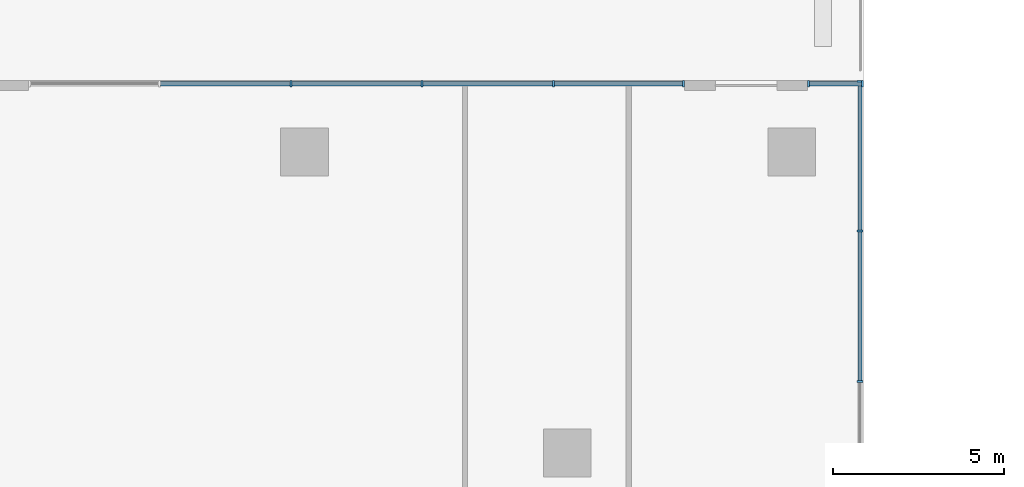
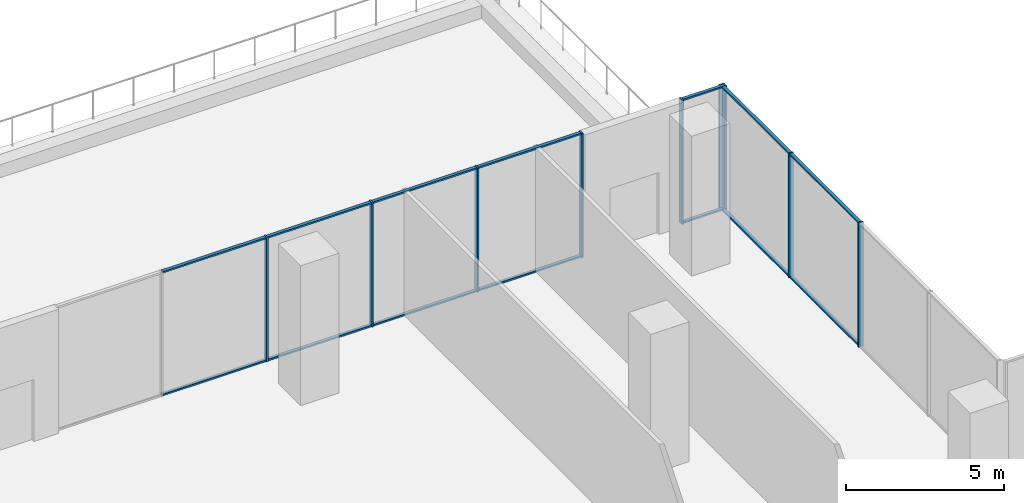
# One storey, part 11 of 24: 23 members, 3 elements without a shape of their own.
"""IFC4 building model written with IfcOpenShell, lengths in metres."""

from ifc_helpers import new_model, si_unit, direction, frame, origin, origin_2d, place, context, subcontext, project, spatial, rectangle, extrude, source, transform, mapped, material, layer, layer_set, material_profile, profile_set, type_object, element, aggregate, save


model = new_model("IFC4")

# Units and contexts
model_context = context("Model", 3, precision=1e-05, world=origin(), true_north=direction((0.0, 1.0)))
body_context = subcontext(model_context, "Body", "Model", "MODEL_VIEW")
ifc_project = project(units=[si_unit("LENGTHUNIT", "METRE"), si_unit("AREAUNIT", "SQUARE_METRE"), si_unit("VOLUMEUNIT", "CUBIC_METRE"), si_unit("PLANEANGLEUNIT", "RADIAN"), si_unit("MASSUNIT", "GRAM", prefix="KILO")], contexts=[model_context])

# Site, building, storey
site_placement = place(None, origin())
site = spatial("IfcSite", under=ifc_project, at=site_placement, CompositionType="ELEMENT")
building_placement = place(site_placement, origin())
building = spatial("IfcBuilding", under=site, at=building_placement, Name="Aurelian Terraces", CompositionType="ELEMENT")
storey_placement = place(building_placement, frame((0.0, 0.0, 12.9)))
storey = spatial("IfcBuildingStorey", under=building, at=storey_placement, Name="L02", CompositionType="ELEMENT", Elevation=12.9)

# Curtain wall, member
ifc_material_1 = material(Name="Anodised aluminium and clear glazing", Category="aluminium")
ifc_layer = layer(ifc_material_1, 0.2)
ifc_layer_set = layer_set([ifc_layer], Name="Winter garden glazing curtain wall")
curtain_wall_type = type_object("IfcCurtainWallType", Name="Winter garden glazing curtain wall", PredefinedType="NOTDEFINED", material=ifc_layer_set)
curtain_wall_1_placement = place(storey_placement, origin())
curtain_wall_1 = element("IfcCurtainWall", 1, at=curtain_wall_1_placement, inside=storey, type_object=curtain_wall_type, Name="Winter garden glazing L02 F05.1", PredefinedType="NOTDEFINED")
ifc_material_2 = material(Name="Anodised aluminium", Category="aluminium")
ifc_material_profile_1 = material_profile(ifc_material_2, rectangle(XDim=0.12, YDim=0.06, at=origin_2d()))
ifc_profile_set_1 = profile_set([ifc_material_profile_1], Name="Anodised aluminium")
member_type_1 = type_object("IfcMemberType", Name="Winter garden glazing transom", PredefinedType="USERDEFINED", material=ifc_profile_set_1)
member_1_placement = place(storey_placement, frame((54.12, 71.72, 0.03), z_axis=(-1.0, 0.0, 0.0), x_axis=(0.0, -1.0, 0.0)))
member_1 = element("IfcMember", 2, at=member_1_placement, type_object=member_type_1, Name="CW6 transom 1.1", ObjectType="TRANSOM", PredefinedType="USERDEFINED", context=body_context, shape_type="SweptSolid", body=[
    extrude(rectangle(XDim=0.12, YDim=0.06, at=origin_2d()), origin(), (0.0, 0.0, 1.0), 1.52),
])

# Curtain wall, members
curtain_wall_2_placement = place(storey_placement, origin())
curtain_wall_2 = element("IfcCurtainWall", 3, at=curtain_wall_2_placement, inside=storey, type_object=curtain_wall_type, Name="Winter garden glazing L02 F05.3", PredefinedType="NOTDEFINED")
member_2_placement = place(storey_placement, frame((48.88, 71.72, 0.03), z_axis=(-1.0, 0.0, 0.0), x_axis=(0.0, -1.0, 0.0)))
member_2 = element("IfcMember", 4, at=member_2_placement, type_object=member_type_1, Name="CW6 transom 1.1", ObjectType="TRANSOM", PredefinedType="USERDEFINED", context=body_context, shape_type="SweptSolid", body=[
    extrude(rectangle(XDim=0.12, YDim=0.06, at=origin_2d()), origin(), (0.0, 0.0, 1.0), 3.758),
])
member_3_placement = place(storey_placement, frame((45.062, 71.72, 0.03), z_axis=(-1.0, 0.0, 0.0), x_axis=(0.0, -1.0, 0.0)))
member_3 = element("IfcMember", 5, at=member_3_placement, type_object=member_type_1, Name="CW6 transom 2.1", ObjectType="TRANSOM", PredefinedType="USERDEFINED", context=body_context, shape_type="SweptSolid", body=[
    extrude(rectangle(XDim=0.12, YDim=0.06, at=origin_2d()), origin(), (0.0, 0.0, 1.0), 3.788),
])

curtain_wall_3_placement = place(storey_placement, origin())
curtain_wall_3 = element("IfcCurtainWall", 6, at=curtain_wall_3_placement, inside=storey, type_object=curtain_wall_type, Name="Winter garden glazing L02 F04.1", PredefinedType="NOTDEFINED")
ifc_material_profile_2 = material_profile(ifc_material_2, rectangle(XDim=0.18, YDim=0.06, at=origin_2d()))
ifc_profile_set_2 = profile_set([ifc_material_profile_2], Name="Anodised aluminium")
member_type_2 = type_object("IfcMemberType", Name="Winter garden glazing mullion", PredefinedType="MULLION", material=ifc_profile_set_2)
shared_shape_1 = source(origin(), body_context, "Body", "SweptSolid", [
    extrude(rectangle(XDim=0.18, YDim=0.06, at=origin_2d()), origin(), (0.0, 0.0, 1.0), 4.8),
])
member_4_placement = place(storey_placement, frame((54.08, 63.0, 0.0), z_axis=(0.0, 0.0, 1.0), x_axis=(-1.0, 0.0, 0.0)))
member_4 = element("IfcMember", 7, at=member_4_placement, type_object=member_type_2, Name="CW6 mullion 3", PredefinedType="MULLION", context=body_context, shape_type="MappedRepresentation", body=[
    mapped(shared_shape_1, transform((0.0, 0.0, 0.0), scale=1.0)),
])
member_5_placement = place(storey_placement, frame((54.08, 67.41, 0.0), z_axis=(0.0, 0.0, 1.0), x_axis=(-1.0, 0.0, 0.0)))
member_5 = element("IfcMember", 8, at=member_5_placement, type_object=member_type_2, Name="CW6 mullion 4", PredefinedType="MULLION", context=body_context, shape_type="MappedRepresentation", body=[
    mapped(shared_shape_1, transform((0.0, 0.0, 0.0), scale=1.0)),
])
member_6_placement = place(storey_placement, frame((54.08, 71.79, 0.0), z_axis=(0.0, 0.0, 1.0), x_axis=(-1.0, 0.0, 0.0)))
member_6 = element("IfcMember", 9, at=member_6_placement, type_object=member_type_2, Name="CW6 mullion 5", PredefinedType="MULLION", context=body_context, shape_type="MappedRepresentation", body=[
    mapped(shared_shape_1, transform((0.0, 0.0, 0.0), scale=1.0)),
])

# Member
member_7_placement = place(storey_placement, frame((54.15, 71.72, 0.0), z_axis=(0.0, 0.0, 1.0), x_axis=(0.0, -1.0, 0.0)))
member_7 = element("IfcMember", 10, at=member_7_placement, type_object=member_type_2, Name="CW6 mullion 1", PredefinedType="MULLION", context=body_context, shape_type="MappedRepresentation", body=[
    mapped(shared_shape_1, transform((0.0, 0.0, 0.0), scale=1.0)),
])

member_8_placement = place(storey_placement, frame((52.57, 71.72, 0.0), z_axis=(0.0, 0.0, 1.0), x_axis=(0.0, -1.0, 0.0)))
member_8 = element("IfcMember", 11, at=member_8_placement, type_object=member_type_2, Name="CW6 mullion 2", PredefinedType="MULLION", context=body_context, shape_type="MappedRepresentation", body=[
    mapped(shared_shape_1, transform((0.0, 0.0, 0.0), scale=1.0)),
])

member_9_placement = place(storey_placement, frame((48.91, 71.72, 0.0), z_axis=(0.0, 0.0, 1.0), x_axis=(0.0, -1.0, 0.0)))
member_9 = element("IfcMember", 12, at=member_9_placement, type_object=member_type_2, Name="CW6 mullion 1", PredefinedType="MULLION", context=body_context, shape_type="MappedRepresentation", body=[
    mapped(shared_shape_1, transform((0.0, 0.0, 0.0), scale=1.0)),
])

member_10_placement = place(storey_placement, frame((45.092, 71.72, 0.0), z_axis=(0.0, 0.0, 1.0), x_axis=(0.0, -1.0, 0.0)))
member_10 = element("IfcMember", 13, at=member_10_placement, type_object=member_type_2, Name="CW6 mullion 2", PredefinedType="MULLION", context=body_context, shape_type="MappedRepresentation", body=[
    mapped(shared_shape_1, transform((0.0, 0.0, 0.0), scale=1.0)),
])

member_11_placement = place(storey_placement, frame((41.244, 71.72, 0.0), z_axis=(0.0, 0.0, 1.0), x_axis=(0.0, -1.0, 0.0)))
member_11 = element("IfcMember", 14, at=member_11_placement, type_object=member_type_2, Name="CW6 mullion 3", PredefinedType="MULLION", context=body_context, shape_type="MappedRepresentation", body=[
    mapped(shared_shape_1, transform((0.0, 0.0, 0.0), scale=1.0)),
])

member_12_placement = place(storey_placement, frame((37.396, 71.72, 0.0), z_axis=(0.0, 0.0, 1.0), x_axis=(0.0, -1.0, 0.0)))
member_12 = element("IfcMember", 15, at=member_12_placement, type_object=member_type_2, Name="CW6 mullion 4", PredefinedType="MULLION", context=body_context, shape_type="MappedRepresentation", body=[
    mapped(shared_shape_1, transform((0.0, 0.0, 0.0), scale=1.0)),
])

shared_shape_2 = source(origin(), body_context, "Body", "SweptSolid", [
    extrude(rectangle(XDim=0.12, YDim=0.06, at=origin_2d()), origin(), (0.0, 0.0, 1.0), 4.32),
])
member_13_placement = place(storey_placement, frame((54.08, 67.44, 0.03), z_axis=(0.0, 1.0, 0.0), x_axis=(-1.0, 0.0, 0.0)))
member_13 = element("IfcMember", 16, at=member_13_placement, type_object=member_type_1, Name="CW6 transom 4.1", ObjectType="TRANSOM", PredefinedType="USERDEFINED", context=body_context, shape_type="MappedRepresentation", body=[
    mapped(shared_shape_2, transform((0.0, 0.0, 0.0), scale=1.0)),
])

member_14_placement = place(storey_placement, frame((54.08, 67.44, 4.77), z_axis=(0.0, 1.0, 0.0), x_axis=(-1.0, 0.0, 0.0)))
member_14 = element("IfcMember", 17, at=member_14_placement, type_object=member_type_1, Name="CW6 transom 4.2", ObjectType="TRANSOM", PredefinedType="USERDEFINED", context=body_context, shape_type="MappedRepresentation", body=[
    mapped(shared_shape_2, transform((0.0, 0.0, 0.0), scale=1.0)),
])

shared_shape_3 = source(origin(), body_context, "Body", "SweptSolid", [
    extrude(rectangle(XDim=0.12, YDim=0.06, at=origin_2d()), origin(), (0.0, 0.0, 1.0), 4.35),
])
member_15_placement = place(storey_placement, frame((54.08, 63.03, 0.03), z_axis=(0.0, 1.0, 0.0), x_axis=(-1.0, 0.0, 0.0)))
member_15 = element("IfcMember", 18, at=member_15_placement, type_object=member_type_1, Name="CW6 transom 3.1", ObjectType="TRANSOM", PredefinedType="USERDEFINED", context=body_context, shape_type="MappedRepresentation", body=[
    mapped(shared_shape_3, transform((0.0, 0.0, 0.0), scale=1.0)),
])

member_16_placement = place(storey_placement, frame((54.08, 63.03, 4.77), z_axis=(0.0, 1.0, 0.0), x_axis=(-1.0, 0.0, 0.0)))
member_16 = element("IfcMember", 19, at=member_16_placement, type_object=member_type_1, Name="CW6 transom 3.2", ObjectType="TRANSOM", PredefinedType="USERDEFINED", context=body_context, shape_type="MappedRepresentation", body=[
    mapped(shared_shape_3, transform((0.0, 0.0, 0.0), scale=1.0)),
])

aggregate(curtain_wall_3, [member_4, member_5, member_6, member_15, member_16, member_13, member_14])

shared_shape_4 = source(origin(), body_context, "Body", "SweptSolid", [
    extrude(rectangle(XDim=0.12, YDim=0.06, at=origin_2d()), origin(), (0.0, 0.0, 1.0), 1.52),
])
member_17_placement = place(storey_placement, frame((54.12, 71.72, 4.77), z_axis=(-1.0, 0.0, 0.0), x_axis=(0.0, -1.0, 0.0)))
member_17 = element("IfcMember", 20, at=member_17_placement, type_object=member_type_1, Name="CW6 transom 1.2", ObjectType="TRANSOM", PredefinedType="USERDEFINED", context=body_context, shape_type="MappedRepresentation", body=[
    mapped(shared_shape_4, transform((0.0, 0.0, 0.0), scale=1.0)),
])

aggregate(curtain_wall_1, [member_7, member_8, member_1, member_17])

shared_shape_5 = source(origin(), body_context, "Body", "SweptSolid", [
    extrude(rectangle(XDim=0.12, YDim=0.06, at=origin_2d()), origin(), (0.0, 0.0, 1.0), 3.758),
])
member_18_placement = place(storey_placement, frame((48.88, 71.72, 4.77), z_axis=(-1.0, 0.0, 0.0), x_axis=(0.0, -1.0, 0.0)))
member_18 = element("IfcMember", 21, at=member_18_placement, type_object=member_type_1, Name="CW6 transom 1.2", ObjectType="TRANSOM", PredefinedType="USERDEFINED", context=body_context, shape_type="MappedRepresentation", body=[
    mapped(shared_shape_5, transform((0.0, 0.0, 0.0), scale=1.0)),
])

shared_shape_6 = source(origin(), body_context, "Body", "SweptSolid", [
    extrude(rectangle(XDim=0.12, YDim=0.06, at=origin_2d()), origin(), (0.0, 0.0, 1.0), 3.788),
])
member_19_placement = place(storey_placement, frame((45.062, 71.72, 4.77), z_axis=(-1.0, 0.0, 0.0), x_axis=(0.0, -1.0, 0.0)))
member_19 = element("IfcMember", 22, at=member_19_placement, type_object=member_type_1, Name="CW6 transom 2.2", ObjectType="TRANSOM", PredefinedType="USERDEFINED", context=body_context, shape_type="MappedRepresentation", body=[
    mapped(shared_shape_6, transform((0.0, 0.0, 0.0), scale=1.0)),
])

member_20_placement = place(storey_placement, frame((41.214, 71.72, 0.03), z_axis=(-1.0, 0.0, 0.0), x_axis=(0.0, -1.0, 0.0)))
member_20 = element("IfcMember", 23, at=member_20_placement, type_object=member_type_1, Name="CW6 transom 3.1", ObjectType="TRANSOM", PredefinedType="USERDEFINED", context=body_context, shape_type="MappedRepresentation", body=[
    mapped(shared_shape_6, transform((0.0, 0.0, 0.0), scale=1.0)),
])

member_21_placement = place(storey_placement, frame((41.214, 71.72, 4.77), z_axis=(-1.0, 0.0, 0.0), x_axis=(0.0, -1.0, 0.0)))
member_21 = element("IfcMember", 24, at=member_21_placement, type_object=member_type_1, Name="CW6 transom 3.2", ObjectType="TRANSOM", PredefinedType="USERDEFINED", context=body_context, shape_type="MappedRepresentation", body=[
    mapped(shared_shape_6, transform((0.0, 0.0, 0.0), scale=1.0)),
])

member_22_placement = place(storey_placement, frame((37.366, 71.72, 0.03), z_axis=(-1.0, 0.0, 0.0), x_axis=(0.0, -1.0, 0.0)))
member_22 = element("IfcMember", 25, at=member_22_placement, type_object=member_type_1, Name="CW6 transom 4.1", ObjectType="TRANSOM", PredefinedType="USERDEFINED", context=body_context, shape_type="MappedRepresentation", body=[
    mapped(shared_shape_6, transform((0.0, 0.0, 0.0), scale=1.0)),
])

member_23_placement = place(storey_placement, frame((37.366, 71.72, 4.77), z_axis=(-1.0, 0.0, 0.0), x_axis=(0.0, -1.0, 0.0)))
member_23 = element("IfcMember", 26, at=member_23_placement, type_object=member_type_1, Name="CW6 transom 4.2", ObjectType="TRANSOM", PredefinedType="USERDEFINED", context=body_context, shape_type="MappedRepresentation", body=[
    mapped(shared_shape_6, transform((0.0, 0.0, 0.0), scale=1.0)),
])

aggregate(curtain_wall_2, [member_9, member_10, member_11, member_12, member_2, member_18, member_3, member_19, member_20, member_21, member_22, member_23])

save(model, "model.ifc")
